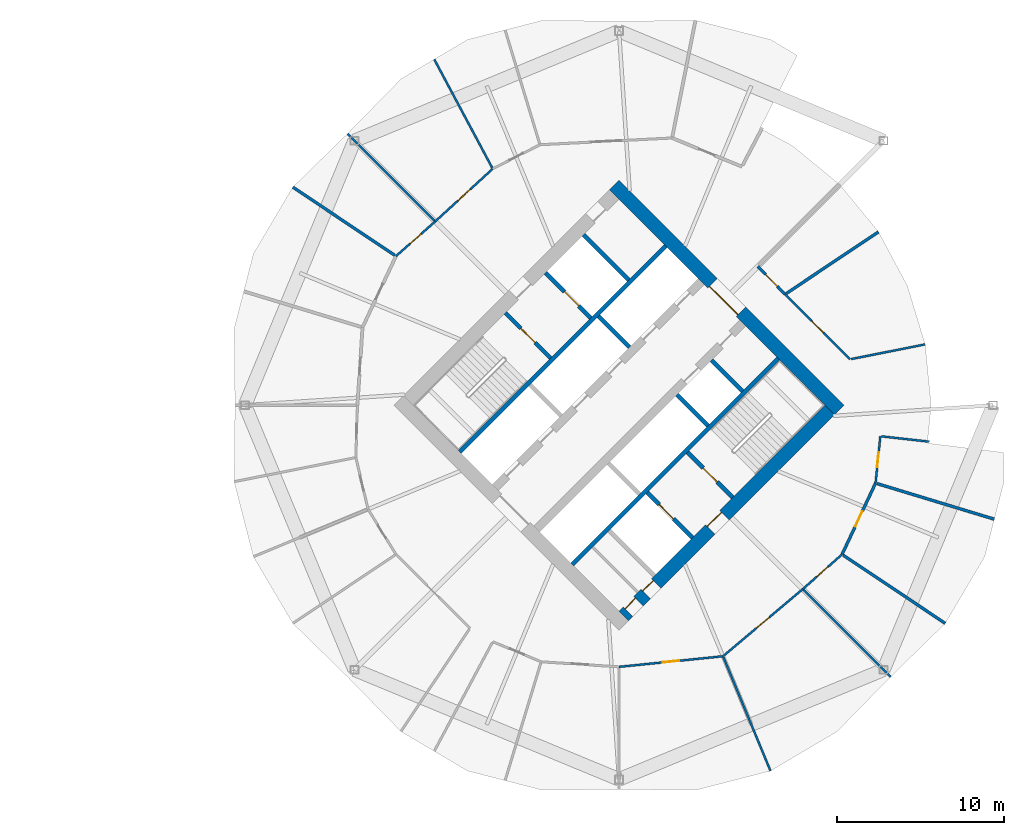
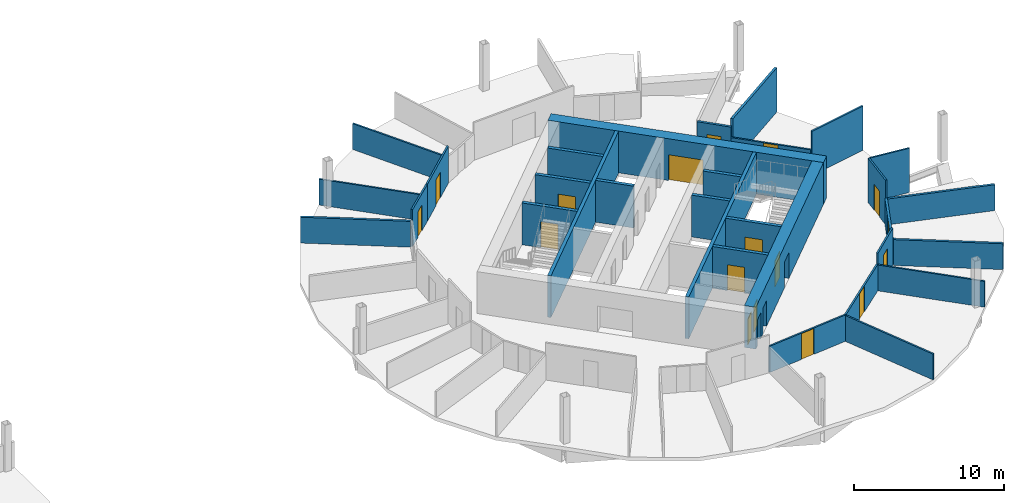
# One storey, part 7 of 10: 31 walls, 17 doors, 17 openings.
"""IFC4 building model written with IfcOpenShell, lengths in metres."""

from ifc_helpers import new_model, si_unit, direction, frame, frame_2d, origin, place, context, subcontext, project, spatial, rectangle, extrude, material, layer, layer_set, type_object, element, fill, save


model = new_model("IFC4")

# Units and contexts
model_context = context("Model", 3, precision=1e-05, world=origin(), true_north=direction((0.0, 1.0)))
body_context = subcontext(model_context, "Body", "Model", "MODEL_VIEW")
ifc_project = project(units=[si_unit("LENGTHUNIT", "METRE"), si_unit("AREAUNIT", "SQUARE_METRE"), si_unit("VOLUMEUNIT", "CUBIC_METRE"), si_unit("PLANEANGLEUNIT", "RADIAN"), si_unit("MASSUNIT", "GRAM", prefix="KILO")], contexts=[model_context])

# Site, building, storey
site_placement = place(None, origin())
site = spatial("IfcSite", under=ifc_project, at=site_placement, CompositionType="ELEMENT")
building_placement = place(site_placement, origin())
building = spatial("IfcBuilding", under=site, at=building_placement, Name="Ogive Gate Towers", CompositionType="ELEMENT")
storey_placement = place(building_placement, frame((0.0, 0.0, 126.89990234375)))
storey = spatial("IfcBuildingStorey", under=building, at=storey_placement, Name="L30", CompositionType="ELEMENT", Elevation=126.89990234375)

# Walls
ifc_material_1 = material(Name="Gypsum board acoustic partition")
ifc_layer_1 = layer(ifc_material_1, 0.175048828125)
ifc_layer_set_1 = layer_set([ifc_layer_1], Name="Acoustic partition 175")
wall_type_1 = type_object("IfcWallType", Name="Acoustic partition 175", PredefinedType="PARTITIONING", material=ifc_layer_set_1)
wall_1_placement = place(storey_placement, frame((51.506591796875, 10.361083984375, 0.0), z_axis=(0.0, 0.0, 1.0), x_axis=(-0.831466458256, -0.555574953356, 0.0)))
element("IfcWall", 1, at=wall_1_placement, inside=storey, type_object=wall_type_1, Name="Partition T2-L30-002", PredefinedType="PARTITIONING", context=body_context, shape_type="SweptSolid", body=[
    extrude(rectangle(XDim=6.631591796875, YDim=0.175048828125, at=frame_2d((3.31591796875, 0.0))), origin(), (0.0, 0.0, 1.0), 3.60009765625),
])
for number, where, z_axis, x_axis, name in (
    (2, (16.506591796875, 13.0341796875, 0.0), (0.0, 0.0, 1.0), (0.831291310692, -0.555836987585, 0.0), "Partition T2-L30-009"),
    (3, (55.493408203125, -13.0341796875, 0.0), (0.0, 0.0, 1.0), (-0.831291310692, 0.555836987585, 0.0), "Partition T2-L30-021"),
    (4, (58.4248046875, -6.80859375, 0.0), (0.0, 0.0, 1.0), (-0.956872477348, 0.290508282317, 0.0), "Partition T2-L30-022"),
):
    element("IfcWall", number, at=place(storey_placement, frame(where, z_axis=z_axis, x_axis=x_axis)), inside=storey, type_object=wall_type_1, Name=name, PredefinedType="PARTITIONING", context=body_context, shape_type="SweptSolid", body=[
        extrude(rectangle(XDim=7.33154296875, YDim=0.175048828125, at=frame_2d((3.665771484375, 0.0))), origin(), (0.0, 0.0, 1.0), 2.10009765625),
    ])

# Wall, opening, door
wall_2_placement = place(storey_placement, frame((44.294677734375, 8.294677734375, 0.0), z_axis=(0.0, 0.0, 1.0), x_axis=(0.698188847293, -0.715913635515, 0.0)))
wall_2 = element("IfcWall", 5, at=wall_2_placement, inside=storey, type_object=wall_type_1, Name="Partition T2-L30-035", PredefinedType="PARTITIONING", context=body_context, shape_type="SweptSolid", body=[
    extrude(rectangle(XDim=2.327880859375, YDim=0.175048828125, at=frame_2d((1.1640625, 0.0))), origin(), (0.0, 0.0, 1.0), 3.010009765625),
])
opening_1_placement = place(wall_2_placement, frame((0.6640625, 0.0, 0.0)))
opening_1 = element("IfcOpeningElement", 6, at=opening_1_placement, cuts=wall_2, Name="Opening T2-L30-D12", PredefinedType="OPENING", context=body_context, shape_type="SweptSolid", body=[
    extrude(rectangle(XDim=1.0, YDim=2.10009765625, at=frame_2d((0.5, 1.050048828125))), frame((0.0, 0.09765625, 0.0), z_axis=(0.0, -1.0, 0.0), x_axis=(1.0, 0.0, 0.0)), (0.0, 0.0, 1.0), 0.195068359375),
])
ifc_material_2 = material(Name="Timber door", Category="wood")
door_type_1 = type_object("IfcDoorType", Name="Door 1000", OperationType="NOTDEFINED", PredefinedType="DOOR", material=ifc_material_2)
door_1_placement = place(opening_1_placement, origin())
door_1 = element("IfcDoor", 7, at=door_1_placement, inside=storey, type_object=door_type_1, Name="Door T2-L30-D12", OperationType="SINGLE_SWING_LEFT", OverallHeight=2.10009765625, OverallWidth=1.0, PredefinedType="DOOR", context=body_context, shape_type="SweptSolid", body=[
    extrude(rectangle(XDim=1.0, YDim=2.10009765625, at=frame_2d((0.5, 1.050048828125))), frame((0.0, 0.02490234375, 0.0), z_axis=(0.0, -1.0, 0.0), x_axis=(1.0, 0.0, 0.0)), (0.0, 0.0, 1.0), 0.050048828125),
])
fill(opening_1, door_1)

wall_3_placement = place(storey_placement, frame((51.32568359375, -4.6533203125, 0.0), z_axis=(0.0, 0.0, 1.0), x_axis=(-0.425174486492, -0.905111405318, 0.0)))
wall_3 = element("IfcWall", 8, at=wall_3_placement, inside=storey, type_object=wall_type_1, Name="Partition T2-L30-038", PredefinedType="PARTITIONING", context=body_context, shape_type="SweptSolid", body=[
    extrude(rectangle(XDim=4.703369140625, YDim=0.175048828125, at=frame_2d((2.3515625, 0.0))), origin(), (0.0, 0.0, 1.0), 2.14013671875),
])
opening_2_placement = place(wall_3_placement, frame((1.85205078125, 0.0, 0.0)))
opening_2 = element("IfcOpeningElement", 9, at=opening_2_placement, cuts=wall_3, Name="Opening T2-L30-D15", PredefinedType="OPENING", context=body_context, shape_type="SweptSolid", body=[
    extrude(rectangle(XDim=1.0, YDim=2.10009765625, at=frame_2d((0.5, 1.050048828125))), frame((0.0, 0.09765625, 0.0), z_axis=(0.0, -1.0, 0.0), x_axis=(1.0, 0.0, 0.0)), (0.0, 0.0, 1.0), 0.195068359375),
])
door_2_placement = place(opening_2_placement, origin())
door_2 = element("IfcDoor", 10, at=door_2_placement, inside=storey, type_object=door_type_1, Name="Door T2-L30-D15", OperationType="SINGLE_SWING_LEFT", OverallHeight=2.10009765625, OverallWidth=1.0, PredefinedType="DOOR", context=body_context, shape_type="SweptSolid", body=[
    extrude(rectangle(XDim=1.0, YDim=2.10009765625, at=frame_2d((0.5, 1.050048828125))), frame((0.0, 0.02490234375, 0.0), z_axis=(0.0, -1.0, 0.0), x_axis=(1.0, 0.0, 0.0)), (0.0, 0.0, 1.0), 0.050048828125),
])
fill(opening_2, door_2)

# Wall, openings, doors
ifc_material_3 = material(Name="Concrete C60/75", Category="concrete")
ifc_layer_2 = layer(ifc_material_3, 0.800048828125)
ifc_layer_set_2 = layer_set([ifc_layer_2], Name="Core wall 800 mm")
wall_type_2 = type_object("IfcWallType", Name="Core wall 800 mm", PredefinedType="SHEAR", material=ifc_layer_set_2)
wall_4_placement = place(storey_placement, frame((36.28271484375, -12.58642578125, 0.0), z_axis=(0.0, 0.0, 1.0), x_axis=(0.707106781187, 0.707106781187, 0.0)))
wall_4 = element("IfcWall", 11, at=wall_4_placement, inside=storey, type_object=wall_type_2, Name="T2 L30 Core wall 800 mm", PredefinedType="SHEAR", context=body_context, shape_type="SweptSolid", body=[
    extrude(rectangle(XDim=17.400146484375, YDim=0.800048828125, at=frame_2d((8.7001953125, 0.0))), origin(), (0.0, 0.0, 1.0), 3.400146484375),
])
opening_3_placement = place(wall_4_placement, frame((7.300048828125, 0.0, 0.0)))
opening_3 = element("IfcOpeningElement", 12, at=opening_3_placement, cuts=wall_4, Name="Opening KD-T2-L30-16", PredefinedType="OPENING", context=body_context, shape_type="SweptSolid", body=[
    extrude(rectangle(XDim=1.199951171875, YDim=2.10009765625, at=frame_2d((0.60009765625, 1.050048828125))), frame((0.0, 0.41015625, 0.0), z_axis=(0.0, -1.0, 0.0), x_axis=(1.0, 0.0, 0.0)), (0.0, 0.0, 1.0), 0.820068359375),
])
opening_4_placement = place(wall_4_placement, frame((0.35009765625, 0.0, 0.0)))
opening_4 = element("IfcOpeningElement", 13, at=opening_4_placement, cuts=wall_4, Name="Opening KD-T2-L30-18", PredefinedType="OPENING", context=body_context, shape_type="SweptSolid", body=[
    extrude(rectangle(XDim=0.89990234375, YDim=2.10009765625, at=frame_2d((0.449951171875, 1.050048828125))), frame((0.0, 0.41015625, 0.0), z_axis=(0.0, -1.0, 0.0), x_axis=(1.0, 0.0, 0.0)), (0.0, 0.0, 1.0), 0.820068359375),
])
opening_5_placement = place(wall_4_placement, frame((1.85009765625, 0.0, 0.0)))
opening_5 = element("IfcOpeningElement", 14, at=opening_5_placement, cuts=wall_4, Name="Opening KD-T2-L30-19", PredefinedType="OPENING", context=body_context, shape_type="SweptSolid", body=[
    extrude(rectangle(XDim=0.89990234375, YDim=2.10009765625, at=frame_2d((0.449951171875, 1.050048828125))), frame((0.0, 0.41015625, 0.0), z_axis=(0.0, -1.0, 0.0), x_axis=(1.0, 0.0, 0.0)), (0.0, 0.0, 1.0), 0.820068359375),
])
door_type_2 = type_object("IfcDoorType", Name="Core WC door 900 x 2100", OperationType="NOTDEFINED", PredefinedType="DOOR", material=ifc_material_2)
door_3_placement = place(opening_4_placement, origin())
door_3 = element("IfcDoor", 15, at=door_3_placement, inside=storey, type_object=door_type_2, Name="T2 L30 Core door", OperationType="SINGLE_SWING_LEFT", OverallHeight=2.10009765625, OverallWidth=0.89990234375, PredefinedType="DOOR", context=body_context, shape_type="SweptSolid", body=[
    extrude(rectangle(XDim=0.89990234375, YDim=2.10009765625, at=frame_2d((0.449951171875, 1.050048828125))), frame((0.0, 0.27490234375, 0.0), z_axis=(0.0, -1.0, 0.0), x_axis=(1.0, 0.0, 0.0)), (0.0, 0.0, 1.0), 0.050048828125),
])
fill(opening_4, door_3)
door_4_placement = place(opening_5_placement, origin())
door_4 = element("IfcDoor", 16, at=door_4_placement, inside=storey, type_object=door_type_2, Name="T2 L30 Core door", OperationType="SINGLE_SWING_RIGHT", OverallHeight=2.10009765625, OverallWidth=0.89990234375, PredefinedType="DOOR", context=body_context, shape_type="SweptSolid", body=[
    extrude(rectangle(XDim=0.89990234375, YDim=2.10009765625, at=frame_2d((0.449951171875, 1.050048828125))), frame((0.0, 0.27490234375, 0.0), z_axis=(0.0, -1.0, 0.0), x_axis=(1.0, 0.0, 0.0)), (0.0, 0.0, 1.0), 0.050048828125),
])
fill(opening_5, door_4)
ifc_material_4 = material(Name="Steel fire door", Category="steel")
door_type_3 = type_object("IfcDoorType", Name="Core door FD60S 1200 x 2100", OperationType="NOTDEFINED", PredefinedType="DOOR", material=ifc_material_4)
door_5_placement = place(opening_3_placement, origin())
door_5 = element("IfcDoor", 17, at=door_5_placement, inside=storey, type_object=door_type_3, Name="T2 L30 Fire-fighting lobby door", OperationType="SINGLE_SWING_LEFT", OverallHeight=2.10009765625, OverallWidth=1.199951171875, PredefinedType="DOOR", context=body_context, shape_type="SweptSolid", body=[
    extrude(rectangle(XDim=1.199951171875, YDim=2.10009765625, at=frame_2d((0.60009765625, 1.050048828125))), frame((0.0, 0.27490234375, 0.0), z_axis=(0.0, -1.0, 0.0), x_axis=(1.0, 0.0, 0.0)), (0.0, 0.0, 1.0), 0.050048828125),
])
fill(opening_3, door_5)

# Wall, opening, door
wall_5_placement = place(storey_placement, frame((49.152099609375, -0.28271484375, 0.0), z_axis=(0.0, 0.0, 1.0), x_axis=(-0.707106781187, 0.707106781187, 0.0)))
wall_5 = element("IfcWall", 18, at=wall_5_placement, inside=storey, type_object=wall_type_2, Name="T2 L30 Core wall 800 mm", PredefinedType="SHEAR", context=body_context, shape_type="SweptSolid", body=[
    extrude(rectangle(XDim=18.999755859375, YDim=0.800048828125, at=frame_2d((9.5, 0.0))), origin(), (0.0, 0.0, 1.0), 3.400146484375),
])
opening_6_placement = place(wall_5_placement, frame((8.300048828125, 0.0, 0.0)))
opening_6 = element("IfcOpeningElement", 19, at=opening_6_placement, cuts=wall_5, Name="Opening KD-T2-L30-02", PredefinedType="OPENING", context=body_context, shape_type="SweptSolid", body=[
    extrude(rectangle(XDim=2.39990234375, YDim=2.10009765625, at=frame_2d((1.199951171875, 1.050048828125))), frame((0.0, 0.41015625, 0.0), z_axis=(0.0, -1.0, 0.0), x_axis=(1.0, 0.0, 0.0)), (0.0, 0.0, 1.0), 0.820068359375),
])
door_type_4 = type_object("IfcDoorType", Name="Core double door FD60S 2400 x 2100", OperationType="DOUBLE_DOOR_SINGLE_SWING", PredefinedType="DOOR", material=ifc_material_4)
door_6_placement = place(opening_6_placement, origin())
door_6 = element("IfcDoor", 20, at=door_6_placement, inside=storey, type_object=door_type_4, Name="T2 L30 Core door double", OperationType="DOUBLE_DOOR_SINGLE_SWING", OverallHeight=2.10009765625, OverallWidth=2.39990234375, PredefinedType="DOOR", context=body_context, shape_type="SweptSolid", body=[
    extrude(rectangle(XDim=2.39990234375, YDim=2.10009765625, at=frame_2d((1.199951171875, 1.050048828125))), frame((0.0, 0.27490234375, 0.0), z_axis=(0.0, -1.0, 0.0), x_axis=(1.0, 0.0, 0.0)), (0.0, 0.0, 1.0), 0.050048828125),
])
fill(opening_6, door_6)

# Walls
ifc_material_5 = material(Name="Gypsum board partition")
ifc_layer_3 = layer(ifc_material_5, 0.125)
ifc_layer_set_3 = layer_set([ifc_layer_3], Name="Partition 125")
wall_type_3 = type_object("IfcWallType", Name="Partition 125", PredefinedType="PARTITIONING", material=ifc_layer_set_3)
wall_6_placement = place(storey_placement, frame((54.291015625, 3.63818359375, 0.0), z_axis=(0.0, 0.0, 1.0), x_axis=(-0.980786415449, -0.195084615667, 0.0)))
element("IfcWall", 21, at=wall_6_placement, inside=storey, type_object=wall_type_3, Name="Partition T2-L30-001", PredefinedType="PARTITIONING", context=body_context, shape_type="SweptSolid", body=[
    extrude(rectangle(XDim=4.506591796875, YDim=0.125, at=frame_2d((2.25341796875, 0.0))), origin(), (0.0, 0.0, 1.0), 3.60009765625),
])
wall_7_placement = place(storey_placement, frame((24.9580078125, 20.671142578125, 0.0), z_axis=(0.0, 0.0, 1.0), x_axis=(0.471158290379, -0.882048675192, 0.0)))
element("IfcWall", 22, at=wall_7_placement, inside=storey, type_object=wall_type_3, Name="Partition T2-L30-007", PredefinedType="PARTITIONING", context=body_context, shape_type="SweptSolid", body=[
    extrude(rectangle(XDim=7.3564453125, YDim=0.125, at=frame_2d((3.67822265625, 0.0))), origin(), (0.0, 0.0, 1.0), 2.10009765625),
])
wall_8_placement = place(storey_placement, frame((19.772705078125, 16.227294921875, 0.0), z_axis=(0.0, 0.0, 1.0), x_axis=(0.707106781187, -0.707106781187, 0.0)))
element("IfcWall", 23, at=wall_8_placement, inside=storey, type_object=wall_type_3, Name="Partition T2-L30-008", PredefinedType="PARTITIONING", context=body_context, shape_type="SweptSolid", body=[
    extrude(rectangle(XDim=7.356201171875, YDim=0.125, at=frame_2d((3.67822265625, 0.0))), origin(), (0.0, 0.0, 1.0), 2.10009765625),
])
wall_9_placement = place(storey_placement, frame((45.05029296875, -21.849853515625, 0.0), z_axis=(0.0, 0.0, 1.0), x_axis=(-0.382675179038, 0.923882951108, 0.0)))
element("IfcWall", 24, at=wall_9_placement, inside=storey, type_object=wall_type_3, Name="Partition T2-L30-019", PredefinedType="PARTITIONING", context=body_context, shape_type="SweptSolid", body=[
    extrude(rectangle(XDim=7.356689453125, YDim=0.125, at=frame_2d((3.67822265625, 0.0))), origin(), (0.0, 0.0, 1.0), 2.10009765625),
])
wall_10_placement = place(storey_placement, frame((52.227294921875, -16.227294921875, 0.0), z_axis=(0.0, 0.0, 1.0), x_axis=(-0.707106781187, 0.707106781187, 0.0)))
element("IfcWall", 25, at=wall_10_placement, inside=storey, type_object=wall_type_3, Name="Partition T2-L30-020", PredefinedType="PARTITIONING", context=body_context, shape_type="SweptSolid", body=[
    extrude(rectangle(XDim=7.356201171875, YDim=0.125, at=frame_2d((3.67822265625, 0.0))), origin(), (0.0, 0.0, 1.0), 2.10009765625),
])
wall_11_placement = place(storey_placement, frame((54.5361328125, -2.17529296875, 0.0), z_axis=(0.0, 0.0, 1.0), x_axis=(-0.993844391456, 0.110785042186, 0.0)))
element("IfcWall", 26, at=wall_11_placement, inside=storey, type_object=wall_type_3, Name="Partition T2-L30-023", PredefinedType="PARTITIONING", context=body_context, shape_type="SweptSolid", body=[
    extrude(rectangle(XDim=2.88037109375, YDim=0.125, at=frame_2d((1.440185546875, 0.0))), origin(), (0.0, 0.0, 1.0), 3.60009765625),
])

# Wall, opening, door
wall_12_placement = place(storey_placement, frame((22.674072265625, 8.910400390625, 0.0), z_axis=(0.0, 0.0, 1.0), x_axis=(0.749459658288, 0.662050013669, 0.0)))
wall_12 = element("IfcWall", 27, at=wall_12_placement, inside=storey, type_object=wall_type_3, Name="Partition T2-L30-030", PredefinedType="PARTITIONING", context=body_context, shape_type="SweptSolid", body=[
    extrude(rectangle(XDim=3.128173828125, YDim=0.125, at=frame_2d((1.56396484375, 0.0))), origin(), (0.0, 0.0, 1.0), 3.010009765625),
])
opening_7_placement = place(wall_12_placement, frame((1.114013671875, 0.0, 0.0)))
opening_7 = element("IfcOpeningElement", 28, at=opening_7_placement, cuts=wall_12, Name="Opening T2-L30-D07", PredefinedType="OPENING", context=body_context, shape_type="SweptSolid", body=[
    extrude(rectangle(XDim=0.89990234375, YDim=2.10009765625, at=frame_2d((0.449951171875, 1.050048828125))), frame((0.0, 0.072509765625, 0.0), z_axis=(0.0, -1.0, 0.0), x_axis=(1.0, 0.0, 0.0)), (0.0, 0.0, 1.0), 0.14501953125),
])
door_type_5 = type_object("IfcDoorType", Name="Door 900", OperationType="NOTDEFINED", PredefinedType="DOOR", material=ifc_material_2)
door_7_placement = place(opening_7_placement, origin())
door_7 = element("IfcDoor", 29, at=door_7_placement, inside=storey, type_object=door_type_5, Name="Door T2-L30-D07", OperationType="SINGLE_SWING_LEFT", OverallHeight=2.10009765625, OverallWidth=0.89990234375, PredefinedType="DOOR", context=body_context, shape_type="SweptSolid", body=[
    extrude(rectangle(XDim=0.89990234375, YDim=2.10009765625, at=frame_2d((0.449951171875, 1.050048828125))), frame((0.0, 0.02490234375, 0.0), z_axis=(0.0, -1.0, 0.0), x_axis=(1.0, 0.0, 0.0)), (0.0, 0.0, 1.0), 0.050048828125),
])
fill(opening_7, door_7)

wall_13_placement = place(storey_placement, frame((25.0185546875, 10.9814453125, 0.0), z_axis=(0.0, 0.0, 1.0), x_axis=(0.737480412375, 0.675368522633, 0.0)))
wall_13 = element("IfcWall", 30, at=wall_13_placement, inside=storey, type_object=wall_type_3, Name="Partition T2-L30-031", PredefinedType="PARTITIONING", context=body_context, shape_type="SweptSolid", body=[
    extrude(rectangle(XDim=4.65771484375, YDim=0.125, at=frame_2d((2.328857421875, 0.0))), origin(), (0.0, 0.0, 1.0), 3.010009765625),
])
opening_8_placement = place(wall_13_placement, frame((1.8291015625, 0.0, 0.0)))
opening_8 = element("IfcOpeningElement", 31, at=opening_8_placement, cuts=wall_13, Name="Opening T2-L30-D08", PredefinedType="OPENING", context=body_context, shape_type="SweptSolid", body=[
    extrude(rectangle(XDim=1.0, YDim=2.10009765625, at=frame_2d((0.5, 1.050048828125))), frame((0.0, 0.072509765625, 0.0), z_axis=(0.0, -1.0, 0.0), x_axis=(1.0, 0.0, 0.0)), (0.0, 0.0, 1.0), 0.14501953125),
])
door_8_placement = place(opening_8_placement, origin())
door_8 = element("IfcDoor", 32, at=door_8_placement, inside=storey, type_object=door_type_1, Name="Door T2-L30-D08", OperationType="SINGLE_SWING_LEFT", OverallHeight=2.10009765625, OverallWidth=1.0, PredefinedType="DOOR", context=body_context, shape_type="SweptSolid", body=[
    extrude(rectangle(XDim=1.0, YDim=2.10009765625, at=frame_2d((0.5, 1.050048828125))), frame((0.0, 0.02490234375, 0.0), z_axis=(0.0, -1.0, 0.0), x_axis=(1.0, 0.0, 0.0)), (0.0, 0.0, 1.0), 0.050048828125),
])
fill(opening_8, door_8)

wall_14_placement = place(storey_placement, frame((45.919921875, 6.628173828125, 0.0), z_axis=(0.0, 0.0, 1.0), x_axis=(0.707883857498, -0.706328849966, 0.0)))
wall_14 = element("IfcWall", 33, at=wall_14_placement, inside=storey, type_object=wall_type_3, Name="Partition T2-L30-036", PredefinedType="PARTITIONING", context=body_context, shape_type="SweptSolid", body=[
    extrude(rectangle(XDim=5.4951171875, YDim=0.125, at=frame_2d((2.74755859375, 0.0))), origin(), (0.0, 0.0, 1.0), 2.14013671875),
])
opening_9_placement = place(wall_14_placement, frame((2.248046875, 0.0, 0.0)))
opening_9 = element("IfcOpeningElement", 34, at=opening_9_placement, cuts=wall_14, Name="Opening T2-L30-D13", PredefinedType="OPENING", context=body_context, shape_type="SweptSolid", body=[
    extrude(rectangle(XDim=1.0, YDim=2.10009765625, at=frame_2d((0.5, 1.050048828125))), frame((0.0, 0.072509765625, 0.0), z_axis=(0.0, -1.0, 0.0), x_axis=(1.0, 0.0, 0.0)), (0.0, 0.0, 1.0), 0.14501953125),
])
door_9_placement = place(opening_9_placement, origin())
door_9 = element("IfcDoor", 35, at=door_9_placement, inside=storey, type_object=door_type_1, Name="Door T2-L30-D13", OperationType="SINGLE_SWING_RIGHT", OverallHeight=2.10009765625, OverallWidth=1.0, PredefinedType="DOOR", context=body_context, shape_type="SweptSolid", body=[
    extrude(rectangle(XDim=1.0, YDim=2.10009765625, at=frame_2d((0.5, 1.050048828125))), frame((0.0, 0.02490234375, 0.0), z_axis=(0.0, -1.0, 0.0), x_axis=(1.0, 0.0, 0.0)), (0.0, 0.0, 1.0), 0.050048828125),
])
fill(opening_9, door_9)

wall_15_placement = place(storey_placement, frame((51.61181640625, -1.848876953125, 0.0), z_axis=(0.0, 0.0, 1.0), x_axis=(-0.101501443312, -0.994835391914, 0.0)))
wall_15 = element("IfcWall", 36, at=wall_15_placement, inside=storey, type_object=wall_type_3, Name="Partition T2-L30-037", PredefinedType="PARTITIONING", context=body_context, shape_type="SweptSolid", body=[
    extrude(rectangle(XDim=2.819091796875, YDim=0.125, at=frame_2d((1.40966796875, 0.0))), origin(), (0.0, 0.0, 1.0), 3.60009765625),
])
opening_10_placement = place(wall_15_placement, frame((0.97412109375, 0.0, 0.0)))
opening_10 = element("IfcOpeningElement", 37, at=opening_10_placement, cuts=wall_15, Name="Opening T2-L30-D14", PredefinedType="OPENING", context=body_context, shape_type="SweptSolid", body=[
    extrude(rectangle(XDim=0.89990234375, YDim=2.10009765625, at=frame_2d((0.449951171875, 1.050048828125))), frame((0.0, 0.072509765625, 0.0), z_axis=(0.0, -1.0, 0.0), x_axis=(1.0, 0.0, 0.0)), (0.0, 0.0, 1.0), 0.14501953125),
])
door_10_placement = place(opening_10_placement, origin())
door_10 = element("IfcDoor", 38, at=door_10_placement, inside=storey, type_object=door_type_5, Name="Door T2-L30-D14", OperationType="SINGLE_SWING_RIGHT", OverallHeight=2.10009765625, OverallWidth=0.89990234375, PredefinedType="DOOR", context=body_context, shape_type="SweptSolid", body=[
    extrude(rectangle(XDim=0.89990234375, YDim=2.10009765625, at=frame_2d((0.449951171875, 1.050048828125))), frame((0.0, 0.02490234375, 0.0), z_axis=(0.0, -1.0, 0.0), x_axis=(1.0, 0.0, 0.0)), (0.0, 0.0, 1.0), 0.050048828125),
])
fill(opening_10, door_10)

wall_16_placement = place(storey_placement, frame((49.325927734375, -8.910400390625, 0.0), z_axis=(0.0, 0.0, 1.0), x_axis=(-0.749459658288, -0.662050013669, 0.0)))
wall_16 = element("IfcWall", 39, at=wall_16_placement, inside=storey, type_object=wall_type_3, Name="Partition T2-L30-039", PredefinedType="PARTITIONING", context=body_context, shape_type="SweptSolid", body=[
    extrude(rectangle(XDim=3.128173828125, YDim=0.125, at=frame_2d((1.56396484375, 0.0))), origin(), (0.0, 0.0, 1.0), 3.010009765625),
])
opening_11_placement = place(wall_16_placement, frame((1.114013671875, 0.0, 0.0)))
opening_11 = element("IfcOpeningElement", 40, at=opening_11_placement, cuts=wall_16, Name="Opening T2-L30-D16", PredefinedType="OPENING", context=body_context, shape_type="SweptSolid", body=[
    extrude(rectangle(XDim=0.89990234375, YDim=2.10009765625, at=frame_2d((0.449951171875, 1.050048828125))), frame((0.0, 0.072509765625, 0.0), z_axis=(0.0, -1.0, 0.0), x_axis=(1.0, 0.0, 0.0)), (0.0, 0.0, 1.0), 0.14501953125),
])
door_11_placement = place(opening_11_placement, origin())
door_11 = element("IfcDoor", 41, at=door_11_placement, inside=storey, type_object=door_type_5, Name="Door T2-L30-D16", OperationType="SINGLE_SWING_RIGHT", OverallHeight=2.10009765625, OverallWidth=0.89990234375, PredefinedType="DOOR", context=body_context, shape_type="SweptSolid", body=[
    extrude(rectangle(XDim=0.89990234375, YDim=2.10009765625, at=frame_2d((0.449951171875, 1.050048828125))), frame((0.0, 0.02490234375, 0.0), z_axis=(0.0, -1.0, 0.0), x_axis=(1.0, 0.0, 0.0)), (0.0, 0.0, 1.0), 0.050048828125),
])
fill(opening_11, door_11)

wall_17_placement = place(storey_placement, frame((46.9814453125, -10.9814453125, 0.0), z_axis=(0.0, 0.0, 1.0), x_axis=(-0.765140649308, -0.643863173956, 0.0)))
wall_17 = element("IfcWall", 42, at=wall_17_placement, inside=storey, type_object=wall_type_3, Name="Partition T2-L30-040", PredefinedType="PARTITIONING", context=body_context, shape_type="SweptSolid", body=[
    extrude(rectangle(XDim=6.234375, YDim=0.125, at=frame_2d((3.1171875, 0.0))), origin(), (0.0, 0.0, 1.0), 2.14013671875),
])
opening_12_placement = place(wall_17_placement, frame((2.616943359375, 0.0, 0.0)))
opening_12 = element("IfcOpeningElement", 43, at=opening_12_placement, cuts=wall_17, Name="Opening T2-L30-D17", PredefinedType="OPENING", context=body_context, shape_type="SweptSolid", body=[
    extrude(rectangle(XDim=1.0, YDim=2.10009765625, at=frame_2d((0.5, 1.050048828125))), frame((0.0, 0.072509765625, 0.0), z_axis=(0.0, -1.0, 0.0), x_axis=(1.0, 0.0, 0.0)), (0.0, 0.0, 1.0), 0.14501953125),
])
door_12_placement = place(opening_12_placement, origin())
door_12 = element("IfcDoor", 44, at=door_12_placement, inside=storey, type_object=door_type_1, Name="Door T2-L30-D17", OperationType="SINGLE_SWING_LEFT", OverallHeight=2.10009765625, OverallWidth=1.0, PredefinedType="DOOR", context=body_context, shape_type="SweptSolid", body=[
    extrude(rectangle(XDim=1.0, YDim=2.10009765625, at=frame_2d((0.5, 1.050048828125))), frame((0.0, 0.02490234375, 0.0), z_axis=(0.0, -1.0, 0.0), x_axis=(1.0, 0.0, 0.0)), (0.0, 0.0, 1.0), 0.050048828125),
])
fill(opening_12, door_12)

wall_18_placement = place(storey_placement, frame((42.211181640625, -14.99560546875, 0.0), z_axis=(0.0, 0.0, 1.0), x_axis=(-0.994826322151, -0.101590298532, 0.0)))
wall_18 = element("IfcWall", 45, at=wall_18_placement, inside=storey, type_object=wall_type_3, Name="Partition T2-L30-041", PredefinedType="PARTITIONING", context=body_context, shape_type="SweptSolid", body=[
    extrude(rectangle(XDim=6.243408203125, YDim=0.125, at=frame_2d((3.12158203125, 0.0))), origin(), (0.0, 0.0, 1.0), 2.14013671875),
])
opening_13_placement = place(wall_18_placement, frame((2.6220703125, 0.0, 0.0)))
opening_13 = element("IfcOpeningElement", 46, at=opening_13_placement, cuts=wall_18, Name="Opening T2-L30-D18", PredefinedType="OPENING", context=body_context, shape_type="SweptSolid", body=[
    extrude(rectangle(XDim=1.0, YDim=2.10009765625, at=frame_2d((0.5, 1.050048828125))), frame((0.0, 0.072509765625, 0.0), z_axis=(0.0, -1.0, 0.0), x_axis=(1.0, 0.0, 0.0)), (0.0, 0.0, 1.0), 0.14501953125),
])
door_13_placement = place(opening_13_placement, origin())
door_13 = element("IfcDoor", 47, at=door_13_placement, inside=storey, type_object=door_type_1, Name="Door T2-L30-D18", OperationType="SINGLE_SWING_LEFT", OverallHeight=2.10009765625, OverallWidth=1.0, PredefinedType="DOOR", context=body_context, shape_type="SweptSolid", body=[
    extrude(rectangle(XDim=1.0, YDim=2.10009765625, at=frame_2d((0.5, 1.050048828125))), frame((0.0, 0.02490234375, 0.0), z_axis=(0.0, -1.0, 0.0), x_axis=(1.0, 0.0, 0.0)), (0.0, 0.0, 1.0), 0.050048828125),
])
fill(opening_13, door_13)

# Walls
ifc_layer_4 = layer(ifc_material_3, 0.25)
ifc_layer_set_4 = layer_set([ifc_layer_4], Name="Shaft wall 250 mm")
wall_type_4 = type_object("IfcWallType", Name="Shaft wall 250 mm", PredefinedType="SHEAR", material=ifc_layer_set_4)
for number, where, z_axis, x_axis, name in (
    (48, (33.206787109375, -9.510498046875, 0.0), (0.0, 0.0, 1.0), (0.707106781187, 0.707106781187, 0.0), "T2 L30 Shaft wall 250 mm"),
    (49, (26.489501953125, -2.793212890625, 0.0), (0.0, 0.0, 1.0), (0.707106781187, 0.707106781187, 0.0), "T2 L30 Shaft wall 250 mm"),
):
    element("IfcWall", number, at=place(storey_placement, frame(where, z_axis=z_axis, x_axis=x_axis)), inside=storey, type_object=wall_type_4, Name=name, PredefinedType="SHEAR", context=body_context, shape_type="SweptSolid", body=[
        extrude(rectangle(XDim=17.400146484375, YDim=0.25, at=frame_2d((8.7001953125, 0.0))), origin(), (0.0, 0.0, 1.0), 3.400146484375),
    ])

# Wall, opening, door
wall_19_placement = place(storey_placement, frame((40.384033203125, -7.919677734375, 0.0), z_axis=(0.0, 0.0, 1.0), x_axis=(-0.707074866995, 0.707138693938, 0.0)))
wall_19 = element("IfcWall", 50, at=wall_19_placement, inside=storey, type_object=wall_type_4, Name="T2 L30 Shaft wall 250 mm", PredefinedType="SHEAR", context=body_context, shape_type="SweptSolid", body=[
    extrude(rectangle(XDim=3.824951171875, YDim=0.25, at=frame_2d((1.91259765625, 0.0))), origin(), (0.0, 0.0, 1.0), 3.400146484375),
])
opening_14_placement = place(wall_19_placement, frame((1.60009765625, 0.0, 0.0)))
opening_14 = element("IfcOpeningElement", 51, at=opening_14_placement, cuts=wall_19, Name="Opening LD-T2-L30-11", PredefinedType="OPENING", context=body_context, shape_type="SweptSolid", body=[
    extrude(rectangle(XDim=1.199951171875, YDim=2.10009765625, at=frame_2d((0.60009765625, 1.050048828125))), frame((0.0, 0.135009765625, 0.0), z_axis=(0.0, -1.0, 0.0), x_axis=(1.0, 0.0, 0.0)), (0.0, 0.0, 1.0), 0.27001953125),
])
ifc_material_6 = material(Name="Stainless steel landing door", Category="steel")
door_type_6 = type_object("IfcDoorType", Name="Landing door 1200 x 2100", OperationType="SLIDING_TO_LEFT", PredefinedType="DOOR", material=ifc_material_6)
door_14_placement = place(opening_14_placement, origin())
door_14 = element("IfcDoor", 52, at=door_14_placement, inside=storey, type_object=door_type_6, Name="T2 L30 Lift landing door FF2", OperationType="SLIDING_TO_LEFT", OverallHeight=2.10009765625, OverallWidth=1.199951171875, PredefinedType="DOOR", context=body_context, shape_type="SweptSolid", body=[
    extrude(rectangle(XDim=1.199951171875, YDim=2.10009765625, at=frame_2d((0.60009765625, 1.050048828125))), frame((0.0, 0.02490234375, 0.0), z_axis=(0.0, -1.0, 0.0), x_axis=(1.0, 0.0, 0.0)), (0.0, 0.0, 1.0), 0.050048828125),
])
fill(opening_14, door_14)

wall_20_placement = place(storey_placement, frame((31.91650390625, 2.810791015625, 0.0), z_axis=(0.0, 0.0, 1.0), x_axis=(-0.707106781187, 0.707106781187, 0.0)))
wall_20 = element("IfcWall", 53, at=wall_20_placement, inside=storey, type_object=wall_type_4, Name="T2 L30 Shaft wall 250 mm", PredefinedType="SHEAR", context=body_context, shape_type="SweptSolid", body=[
    extrude(rectangle(XDim=3.824951171875, YDim=0.25, at=frame_2d((1.91259765625, 0.0))), origin(), (0.0, 0.0, 1.0), 3.400146484375),
])
opening_15_placement = place(wall_20_placement, frame((1.324951171875, 0.0, 0.0)))
opening_15 = element("IfcOpeningElement", 54, at=opening_15_placement, cuts=wall_20, Name="Opening KD-T2-L30-13", PredefinedType="OPENING", context=body_context, shape_type="SweptSolid", body=[
    extrude(rectangle(XDim=1.199951171875, YDim=2.10009765625, at=frame_2d((0.60009765625, 1.050048828125))), frame((0.0, 0.135009765625, 0.0), z_axis=(0.0, -1.0, 0.0), x_axis=(1.0, 0.0, 0.0)), (0.0, 0.0, 1.0), 0.27001953125),
])
door_15_placement = place(opening_15_placement, origin())
door_15 = element("IfcDoor", 55, at=door_15_placement, inside=storey, type_object=door_type_3, Name="T2 L30 Stair door", OperationType="SINGLE_SWING_RIGHT", OverallHeight=2.10009765625, OverallWidth=1.199951171875, PredefinedType="DOOR", context=body_context, shape_type="SweptSolid", body=[
    extrude(rectangle(XDim=1.199951171875, YDim=2.10009765625, at=frame_2d((0.60009765625, 1.050048828125))), frame((0.0, 0.02490234375, 0.0), z_axis=(0.0, -1.0, 0.0), x_axis=(1.0, 0.0, 0.0)), (0.0, 0.0, 1.0), 0.050048828125),
])
fill(opening_15, door_15)

wall_21_placement = place(storey_placement, frame((42.7880859375, -5.515380859375, 0.0), z_axis=(0.0, 0.0, 1.0), x_axis=(-0.707106781187, 0.707106781187, 0.0)))
wall_21 = element("IfcWall", 56, at=wall_21_placement, inside=storey, type_object=wall_type_4, Name="T2 L30 Shaft wall 250 mm", PredefinedType="SHEAR", context=body_context, shape_type="SweptSolid", body=[
    extrude(rectangle(XDim=3.824951171875, YDim=0.25, at=frame_2d((1.91259765625, 0.0))), origin(), (0.0, 0.0, 1.0), 3.400146484375),
])
opening_16_placement = place(wall_21_placement, frame((1.300048828125, 0.0, 0.0)))
opening_16 = element("IfcOpeningElement", 57, at=opening_16_placement, cuts=wall_21, Name="Opening KD-T2-L30-14", PredefinedType="OPENING", context=body_context, shape_type="SweptSolid", body=[
    extrude(rectangle(XDim=1.199951171875, YDim=2.10009765625, at=frame_2d((0.60009765625, 1.050048828125))), frame((0.0, 0.135009765625, 0.0), z_axis=(0.0, -1.0, 0.0), x_axis=(1.0, 0.0, 0.0)), (0.0, 0.0, 1.0), 0.27001953125),
])
door_16_placement = place(opening_16_placement, origin())
door_16 = element("IfcDoor", 58, at=door_16_placement, inside=storey, type_object=door_type_3, Name="T2 L30 Stair door", OperationType="SINGLE_SWING_LEFT", OverallHeight=2.10009765625, OverallWidth=1.199951171875, PredefinedType="DOOR", context=body_context, shape_type="SweptSolid", body=[
    extrude(rectangle(XDim=1.199951171875, YDim=2.10009765625, at=frame_2d((0.60009765625, 1.050048828125))), frame((0.0, 0.02490234375, 0.0), z_axis=(0.0, -1.0, 0.0), x_axis=(1.0, 0.0, 0.0)), (0.0, 0.0, 1.0), 0.050048828125),
])
fill(opening_16, door_16)

wall_22_placement = place(storey_placement, frame((34.320556640625, 5.21484375, 0.0), z_axis=(0.0, 0.0, 1.0), x_axis=(-0.707074866995, 0.707138693938, 0.0)))
wall_22 = element("IfcWall", 59, at=wall_22_placement, inside=storey, type_object=wall_type_4, Name="T2 L30 Shaft wall 250 mm", PredefinedType="SHEAR", context=body_context, shape_type="SweptSolid", body=[
    extrude(rectangle(XDim=3.824951171875, YDim=0.25, at=frame_2d((1.91259765625, 0.0))), origin(), (0.0, 0.0, 1.0), 3.400146484375),
])
opening_17_placement = place(wall_22_placement, frame((1.02490234375, 0.0, 0.0)))
opening_17 = element("IfcOpeningElement", 60, at=opening_17_placement, cuts=wall_22, Name="Opening LD-T2-L30-10", PredefinedType="OPENING", context=body_context, shape_type="SweptSolid", body=[
    extrude(rectangle(XDim=1.199951171875, YDim=2.10009765625, at=frame_2d((0.60009765625, 1.050048828125))), frame((0.0, 0.135009765625, 0.0), z_axis=(0.0, -1.0, 0.0), x_axis=(1.0, 0.0, 0.0)), (0.0, 0.0, 1.0), 0.27001953125),
])
door_17_placement = place(opening_17_placement, origin())
door_17 = element("IfcDoor", 61, at=door_17_placement, inside=storey, type_object=door_type_6, Name="T2 L30 Lift landing door FF1", OperationType="SLIDING_TO_LEFT", OverallHeight=2.10009765625, OverallWidth=1.199951171875, PredefinedType="DOOR", context=body_context, shape_type="SweptSolid", body=[
    extrude(rectangle(XDim=1.199951171875, YDim=2.10009765625, at=frame_2d((0.60009765625, 1.050048828125))), frame((0.0, 0.02490234375, 0.0), z_axis=(0.0, -1.0, 0.0), x_axis=(1.0, 0.0, 0.0)), (0.0, 0.0, 1.0), 0.050048828125),
])
fill(opening_17, door_17)

# Walls
for number, where, z_axis, x_axis, name in (
    (62, (41.321044921875, -1.2197265625, 0.0), (0.0, 0.0, 1.0), (-0.707106781187, 0.707106781187, 0.0), "T2 L30 Shaft wall 250 mm"),
    (63, (36.636474609375, 3.46484375, 0.0), (0.0, 0.0, 1.0), (-0.707106781187, 0.707106781187, 0.0), "T2 L30 Shaft wall 250 mm"),
):
    element("IfcWall", number, at=place(storey_placement, frame(where, z_axis=z_axis, x_axis=x_axis)), inside=storey, type_object=wall_type_4, Name=name, PredefinedType="SHEAR", context=body_context, shape_type="SweptSolid", body=[
        extrude(rectangle(XDim=2.625, YDim=0.25, at=frame_2d((1.3125, 0.0))), origin(), (0.0, 0.0, 1.0), 3.400146484375),
    ])
wall_23_placement = place(storey_placement, frame((36.58349609375, 7.477783203125, 0.0), z_axis=(0.0, 0.0, 1.0), x_axis=(-0.707138693938, 0.707074866995, 0.0)))
element("IfcWall", 64, at=wall_23_placement, inside=storey, type_object=wall_type_4, Name="T2 L30 Shaft wall 250 mm", PredefinedType="SHEAR", context=body_context, shape_type="SweptSolid", body=[
    extrude(rectangle(XDim=3.824951171875, YDim=0.25, at=frame_2d((1.91259765625, 0.0))), origin(), (0.0, 0.0, 1.0), 3.400146484375),
])
wall_24_placement = place(storey_placement, frame((43.37158203125, 0.830810546875, 0.0), z_axis=(0.0, 0.0, 1.0), x_axis=(-0.707106781187, 0.707106781187, 0.0)))
element("IfcWall", 65, at=wall_24_placement, inside=storey, type_object=wall_type_4, Name="T2 L30 Shaft wall 250 mm", PredefinedType="SHEAR", context=body_context, shape_type="SweptSolid", body=[
    extrude(rectangle(XDim=2.625, YDim=0.25, at=frame_2d((1.3125, 0.0))), origin(), (0.0, 0.0, 1.0), 3.400146484375),
])

save(model, "model.ifc")
